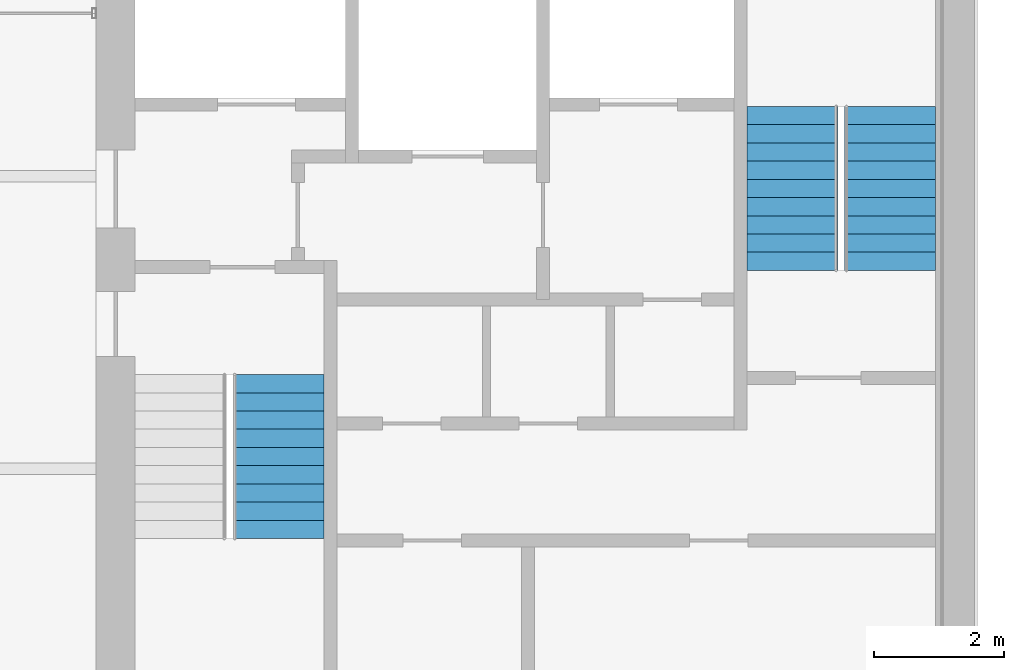
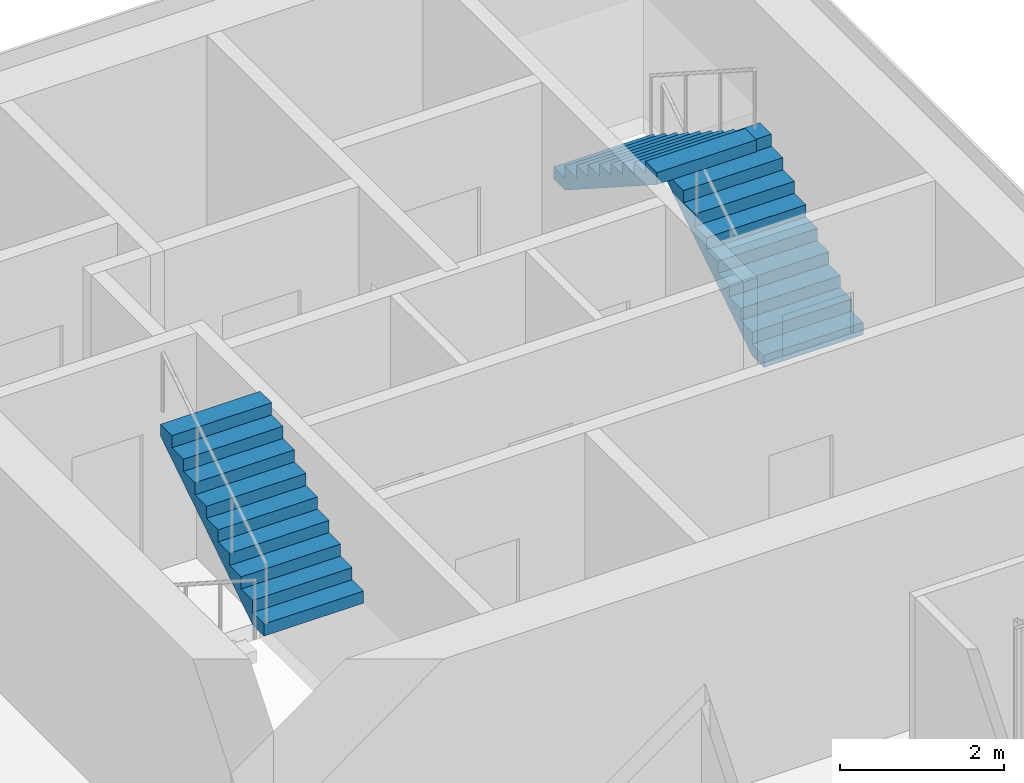
# One storey, part 39 of 40: 3 stair flights, 2 elements without a shape of their own.
"""IFC4 building model written with IfcOpenShell, lengths in metres."""

from ifc_helpers import new_model, si_unit, direction, frame, origin, place, context, subcontext, project, spatial, polyline, outline, extrude, material, type_object, element, aggregate, save


model = new_model("IFC4")

# Units and contexts
model_context = context("Model", 3, precision=1e-05, world=origin(), true_north=direction((0.0, 1.0)))
body_context = subcontext(model_context, "Body", "Model", "MODEL_VIEW")
ifc_project = project(units=[si_unit("LENGTHUNIT", "METRE"), si_unit("AREAUNIT", "SQUARE_METRE"), si_unit("VOLUMEUNIT", "CUBIC_METRE"), si_unit("PLANEANGLEUNIT", "RADIAN"), si_unit("MASSUNIT", "GRAM", prefix="KILO")], contexts=[model_context])

# Site, building, storey
site_placement = place(None, origin())
site = spatial("IfcSite", under=ifc_project, at=site_placement, CompositionType="ELEMENT")
building_placement = place(site_placement, origin())
building = spatial("IfcBuilding", under=site, at=building_placement, Name="Altepetl Exchange Towers", CompositionType="ELEMENT")
storey_placement = place(building_placement, frame((0.0, 0.0, 165.39990234375)))
storey = spatial("IfcBuildingStorey", under=building, at=storey_placement, Name="L41", CompositionType="ELEMENT", Elevation=165.39990234375)

# Stair, stair flight
ifc_material = material(Name="Concrete C40/50", Category="concrete")
stair_type = type_object("IfcStairType", Name="Exit stair 1400 flights dogleg", PredefinedType="HALF_TURN_STAIR", material=ifc_material)
stair_1_placement = place(storey_placement, origin())
stair_1 = element("IfcStair", 1, at=stair_1_placement, inside=storey, type_object=stair_type, Name="Exit stair 1", PredefinedType="HALF_TURN_STAIR")
stair_flight_type = type_object("IfcStairFlightType", Name="Stair flight 1400 wide", PredefinedType="STRAIGHT", material=ifc_material)
stair_flight_1_placement = place(storey_placement, frame((106.300048828125, 39.429931640625, 1.800048828125), z_axis=(0.0, 0.0, 1.0), x_axis=(0.0, 1.0, 0.0)))
stair_flight_1 = element("IfcStairFlight", 2, at=stair_flight_1_placement, type_object=stair_flight_type, Name="ST-B1e flight 2", NumberOfRisers=10, NumberOfTreads=9, PredefinedType="STRAIGHT", RiserHeight=0.18, TreadLength=0.28, context=body_context, shape_type="SweptSolid", body=[
    extrude(outline(polyline([(0.0, 0.0), (0.0, 0.179931640625), (0.280029296875, 0.179931640625), (0.280029296875, 0.360107421875), (0.56005859375, 0.360107421875), (0.56005859375, 0.5400390625), (0.840087890625, 0.5400390625), (0.840087890625, 0.719970703125), (1.1201171875, 0.719970703125), (1.1201171875, 0.89990234375), (1.39990234375, 0.89990234375), (1.39990234375, 1.080078125), (1.679931640625, 1.080078125), (1.679931640625, 1.260009765625), (1.9599609375, 1.260009765625), (1.9599609375, 1.43994140625), (2.239990234375, 1.43994140625), (2.239990234375, 1.6201171875), (2.52001953125, 1.6201171875), (2.52001953125, 1.800048828125), (2.52001953125, 1.44189453125), (0.277099609375, 0.0), (0.0, 0.0)])), frame((0.0, 0.699951171875, 0.0), z_axis=(0.0, -1.0, 0.0), x_axis=(1.0, 0.0, 0.0)), (0.0, 0.0, 1.0), 1.39990234375),
])
aggregate(stair_1, [stair_flight_1])

# Stair, stair flights
stair_2_placement = place(storey_placement, origin())
stair_2 = element("IfcStair", 3, at=stair_2_placement, inside=storey, type_object=stair_type, Name="Exit stair 2", PredefinedType="HALF_TURN_STAIR")
stair_flight_2_placement = place(storey_placement, frame((115.699951171875, 43.550048828125, 0.0), z_axis=(0.0, 0.0, 1.0), x_axis=(0.0, 1.0, 0.0)))
stair_flight_2 = element("IfcStairFlight", 4, at=stair_flight_2_placement, type_object=stair_flight_type, Name="ST-B2e flight 1", NumberOfRisers=10, NumberOfTreads=9, PredefinedType="STRAIGHT", RiserHeight=0.18, TreadLength=0.28, context=body_context, shape_type="SweptSolid", body=[
    extrude(outline(polyline([(0.0, 0.0), (0.0, 0.179931640625), (0.280029296875, 0.179931640625), (0.280029296875, 0.360107421875), (0.56005859375, 0.360107421875), (0.56005859375, 0.5400390625), (0.840087890625, 0.5400390625), (0.840087890625, 0.719970703125), (1.1201171875, 0.719970703125), (1.1201171875, 0.89990234375), (1.39990234375, 0.89990234375), (1.39990234375, 1.080078125), (1.679931640625, 1.080078125), (1.679931640625, 1.260009765625), (1.9599609375, 1.260009765625), (1.9599609375, 1.43994140625), (2.239990234375, 1.43994140625), (2.239990234375, 1.6201171875), (2.52001953125, 1.6201171875), (2.52001953125, 1.800048828125), (2.52001953125, 1.44189453125), (0.277099609375, 0.0), (0.0, 0.0)])), frame((0.0, 0.699951171875, 0.0), z_axis=(0.0, -1.0, 0.0), x_axis=(1.0, 0.0, 0.0)), (0.0, 0.0, 1.0), 1.39990234375),
])
stair_flight_3_placement = place(storey_placement, frame((114.199951171875, 46.070068359375, 1.800048828125), z_axis=(0.0, 0.0, 1.0), x_axis=(0.0, -1.0, 0.0)))
stair_flight_3 = element("IfcStairFlight", 5, at=stair_flight_3_placement, type_object=stair_flight_type, Name="ST-B2e flight 2", NumberOfRisers=10, NumberOfTreads=9, PredefinedType="STRAIGHT", RiserHeight=0.18, TreadLength=0.28, context=body_context, shape_type="SweptSolid", body=[
    extrude(outline(polyline([(0.0, 0.0), (0.0, 0.179931640625), (0.280029296875, 0.179931640625), (0.280029296875, 0.360107421875), (0.56005859375, 0.360107421875), (0.56005859375, 0.5400390625), (0.840087890625, 0.5400390625), (0.840087890625, 0.719970703125), (1.1201171875, 0.719970703125), (1.1201171875, 0.89990234375), (1.39990234375, 0.89990234375), (1.39990234375, 1.080078125), (1.679931640625, 1.080078125), (1.679931640625, 1.260009765625), (1.9599609375, 1.260009765625), (1.9599609375, 1.43994140625), (2.239990234375, 1.43994140625), (2.239990234375, 1.6201171875), (2.52001953125, 1.6201171875), (2.52001953125, 1.800048828125), (2.52001953125, 1.44189453125), (0.277099609375, 0.0), (0.0, 0.0)])), frame((0.0, 0.699951171875, 0.0), z_axis=(0.0, -1.0, 0.0), x_axis=(1.0, 0.0, 0.0)), (0.0, 0.0, 1.0), 1.39990234375),
])
aggregate(stair_2, [stair_flight_2, stair_flight_3])

save(model, "model.ifc")
